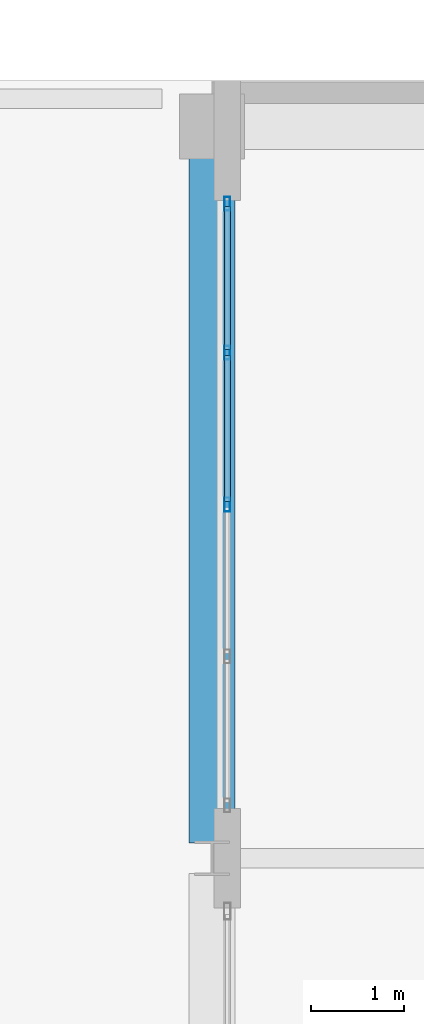
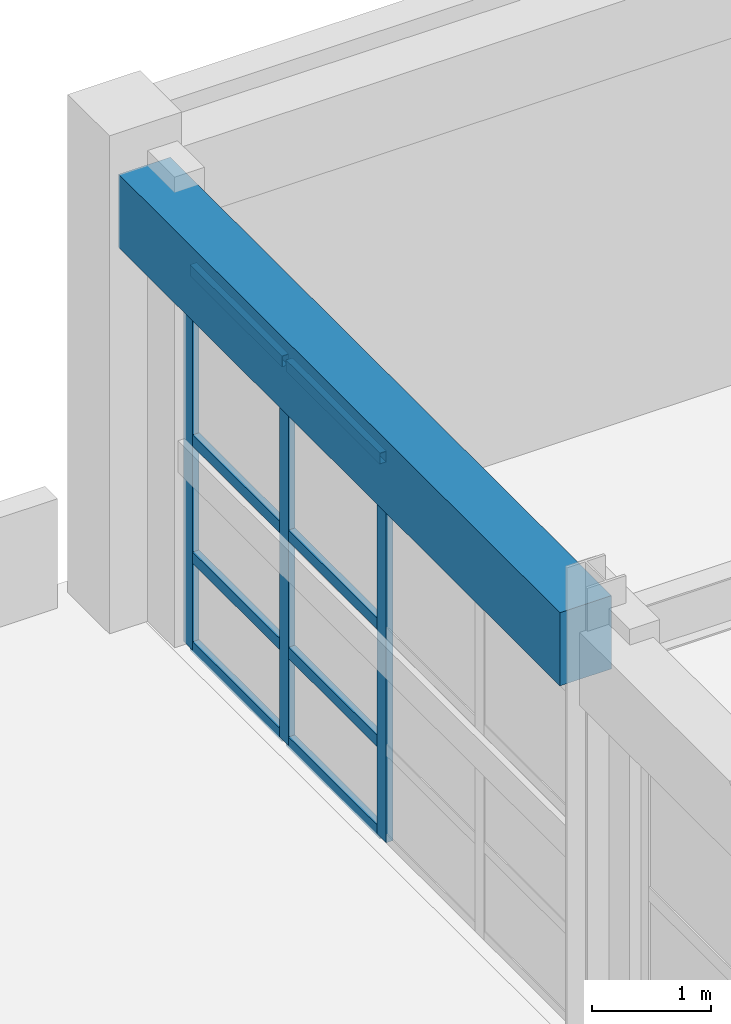
# One storey, part 47 of 78: 11 members, 1 beam, 1 element without a shape of its own.
"""IFC4 building model written with IfcOpenShell, lengths in metres."""

from ifc_helpers import new_model, si_unit, direction, frame, origin, origin_2d, place, context, subcontext, project, spatial, rectangle, hollow_rectangle, extrude, material, layer, layer_set, material_profile, profile_set, type_object, element, aggregate, save


model = new_model("IFC4")

# Units and contexts
model_context = context("Model", 3, precision=1e-05, world=origin(), true_north=direction((0.0, 1.0)))
body_context = subcontext(model_context, "Body", "Model", "MODEL_VIEW")
ifc_project = project(units=[si_unit("LENGTHUNIT", "METRE"), si_unit("AREAUNIT", "SQUARE_METRE"), si_unit("VOLUMEUNIT", "CUBIC_METRE"), si_unit("PLANEANGLEUNIT", "RADIAN"), si_unit("MASSUNIT", "GRAM", prefix="KILO")], contexts=[model_context])

# Site, building, storey
site_placement = place(None, origin())
site = spatial("IfcSite", under=ifc_project, at=site_placement, CompositionType="ELEMENT")
building_placement = place(site_placement, origin())
building = spatial("IfcBuilding", under=site, at=building_placement, Name="Quendrovan Civic Courthouse", CompositionType="ELEMENT")
storey_placement = place(building_placement, frame((0.0, 0.0, 10.199951171875)))
storey = spatial("IfcBuildingStorey", under=building, at=storey_placement, Name="L03", CompositionType="ELEMENT", Elevation=10.199951171875)

# Beam
ifc_material_1 = material(Name="Concrete C40/50", Category="concrete")
ifc_material_profile_1 = material_profile(ifc_material_1, rectangle(XDim=0.5, YDim=0.75, at=origin_2d()), Name="RC-BM-500x750")
ifc_profile_set_1 = profile_set([ifc_material_profile_1], Name="Concrete C40/50")
beam_type = type_object("IfcBeamType", Name="BM-RC750", PredefinedType="SPANDREL", material=ifc_profile_set_1)
beam_placement = place(storey_placement, frame((109.199951171875, 102.166015625, 4.28515625), z_axis=(0.0, 1.0, 0.0), x_axis=(-1.0, 0.0, 0.0)))
element("IfcBeam", 1, at=beam_placement, inside=storey, type_object=beam_type, Name="L03 Girder Y0863", PredefinedType="SPANDREL", context=body_context, shape_type="SweptSolid", body=[
    extrude(rectangle(XDim=0.5, YDim=0.75, at=origin_2d()), origin(), (0.0, 0.0, 1.0), 7.404052734375),
])

# Curtain wall, members
ifc_material_2 = material(Name="Bronze anodised aluminium and low-E glass", Category="aluminium")
ifc_layer = layer(ifc_material_2, 0.179931640625, Name="Bronze anodised aluminium and low-E glass")
ifc_layer_set = layer_set([ifc_layer], Name="Bronze anodised aluminium and low-E glass")
curtain_wall_type = type_object("IfcCurtainWallType", Name="CW-U66x39", PredefinedType="USERDEFINED", material=ifc_layer_set)
curtain_wall_placement = place(storey_placement, origin())
curtain_wall = element("IfcCurtainWall", 2, at=curtain_wall_placement, inside=storey, type_object=curtain_wall_type, Name="L03 Unitised Hurricane Curtain Wall CW-143", ObjectType="UNITISED CURTAIN WALL", PredefinedType="USERDEFINED")
ifc_material_3 = material(Name="Bronze anodised aluminium", Category="aluminium")
ifc_material_profile_2 = material_profile(ifc_material_3, hollow_rectangle(XDim=0.06494140625, YDim=0.14990234375, WallThickness=0.00390625, at=origin_2d()), Name="CW-MULL-65x150")
ifc_profile_set_2 = profile_set([ifc_material_profile_2], Name="Bronze anodised aluminium")
member_type_1 = type_object("IfcMemberType", Name="CW-MULL-B", PredefinedType="MULLION", material=ifc_profile_set_2)
member_1_placement = place(storey_placement, frame((109.364990234375, 105.818603515625, 0.0), z_axis=(0.0, 0.0, 1.0), x_axis=(-1.0, 0.0, 0.0)))
member_1 = element("IfcMember", 3, at=member_1_placement, type_object=member_type_1, Name="CW-143 mullion 3", PredefinedType="MULLION", context=body_context, shape_type="SweptSolid", body=[
    extrude(hollow_rectangle(XDim=0.06494140625, YDim=0.14990234375, WallThickness=0.00390625, at=origin_2d()), origin(), (0.0, 0.0, 1.0), 3.900146484375),
])
member_2_placement = place(storey_placement, frame((109.364990234375, 107.459228515625, 0.0), z_axis=(0.0, 0.0, 1.0), x_axis=(-1.0, 0.0, 0.0)))
member_2 = element("IfcMember", 4, at=member_2_placement, type_object=member_type_1, Name="CW-143 mullion 4", PredefinedType="MULLION", context=body_context, shape_type="SweptSolid", body=[
    extrude(hollow_rectangle(XDim=0.06494140625, YDim=0.14990234375, WallThickness=0.00390625, at=origin_2d()), origin(), (0.0, 0.0, 1.0), 3.900146484375),
])
member_3_placement = place(storey_placement, frame((109.364990234375, 109.0673828125, 0.0), z_axis=(0.0, 0.0, 1.0), x_axis=(-1.0, 0.0, 0.0)))
member_3 = element("IfcMember", 5, at=member_3_placement, type_object=member_type_1, Name="CW-143 mullion 5", PredefinedType="MULLION", context=body_context, shape_type="SweptSolid", body=[
    extrude(hollow_rectangle(XDim=0.06494140625, YDim=0.14990234375, WallThickness=0.00390625, at=origin_2d()), origin(), (0.0, 0.0, 1.0), 3.900146484375),
])
ifc_material_profile_3 = material_profile(ifc_material_3, hollow_rectangle(XDim=0.06494140625, YDim=0.114990234375, WallThickness=0.00390625, at=origin_2d()), Name="CW-TRAN-65x115")
ifc_profile_set_3 = profile_set([ifc_material_profile_3], Name="Bronze anodised aluminium")
member_type_2 = type_object("IfcMemberType", Name="CW-TRAN-B", PredefinedType="USERDEFINED", material=ifc_profile_set_3)
member_4_placement = place(storey_placement, frame((109.364990234375, 105.85107421875, 0.032470703125), z_axis=(0.0, 1.0, 0.0), x_axis=(-1.0, 0.0, 0.0)))
member_4 = element("IfcMember", 6, at=member_4_placement, type_object=member_type_2, Name="CW-143 transom 3.1", ObjectType="TRANSOM", PredefinedType="USERDEFINED", context=body_context, shape_type="SweptSolid", body=[
    extrude(hollow_rectangle(XDim=0.06494140625, YDim=0.114990234375, WallThickness=0.00390625, at=origin_2d()), origin(), (0.0, 0.0, 1.0), 1.57568359375),
])
member_5_placement = place(storey_placement, frame((109.364990234375, 105.85107421875, 0.949951171875), z_axis=(0.0, 1.0, 0.0), x_axis=(-1.0, 0.0, 0.0)))
member_5 = element("IfcMember", 7, at=member_5_placement, type_object=member_type_2, Name="CW-143 transom 3.2", ObjectType="TRANSOM", PredefinedType="USERDEFINED", context=body_context, shape_type="SweptSolid", body=[
    extrude(hollow_rectangle(XDim=0.06494140625, YDim=0.114990234375, WallThickness=0.00390625, at=origin_2d()), origin(), (0.0, 0.0, 1.0), 1.57568359375),
])
member_6_placement = place(storey_placement, frame((109.364990234375, 105.85107421875, 2.150146484375), z_axis=(0.0, 1.0, 0.0), x_axis=(-1.0, 0.0, 0.0)))
member_6 = element("IfcMember", 8, at=member_6_placement, type_object=member_type_2, Name="CW-143 transom 3.3", ObjectType="TRANSOM", PredefinedType="USERDEFINED", context=body_context, shape_type="SweptSolid", body=[
    extrude(hollow_rectangle(XDim=0.06494140625, YDim=0.114990234375, WallThickness=0.00390625, at=origin_2d()), origin(), (0.0, 0.0, 1.0), 1.57568359375),
])
member_7_placement = place(storey_placement, frame((109.364990234375, 105.85107421875, 3.867431640625), z_axis=(0.0, 1.0, 0.0), x_axis=(-1.0, 0.0, 0.0)))
member_7 = element("IfcMember", 9, at=member_7_placement, type_object=member_type_2, Name="CW-143 transom 3.4", ObjectType="TRANSOM", PredefinedType="USERDEFINED", context=body_context, shape_type="SweptSolid", body=[
    extrude(hollow_rectangle(XDim=0.06494140625, YDim=0.114990234375, WallThickness=0.00390625, at=origin_2d()), origin(), (0.0, 0.0, 1.0), 1.57568359375),
])
member_8_placement = place(storey_placement, frame((109.364990234375, 107.49169921875, 0.032470703125), z_axis=(0.0, 1.0, 0.0), x_axis=(-1.0, 0.0, 0.0)))
member_8 = element("IfcMember", 10, at=member_8_placement, type_object=member_type_2, Name="CW-143 transom 4.1", ObjectType="TRANSOM", PredefinedType="USERDEFINED", context=body_context, shape_type="SweptSolid", body=[
    extrude(hollow_rectangle(XDim=0.06494140625, YDim=0.114990234375, WallThickness=0.00390625, at=origin_2d()), origin(), (0.0, 0.0, 1.0), 1.543212890625),
])
member_9_placement = place(storey_placement, frame((109.364990234375, 107.49169921875, 0.949951171875), z_axis=(0.0, 1.0, 0.0), x_axis=(-1.0, 0.0, 0.0)))
member_9 = element("IfcMember", 11, at=member_9_placement, type_object=member_type_2, Name="CW-143 transom 4.2", ObjectType="TRANSOM", PredefinedType="USERDEFINED", context=body_context, shape_type="SweptSolid", body=[
    extrude(hollow_rectangle(XDim=0.06494140625, YDim=0.114990234375, WallThickness=0.00390625, at=origin_2d()), origin(), (0.0, 0.0, 1.0), 1.543212890625),
])
member_10_placement = place(storey_placement, frame((109.364990234375, 107.49169921875, 2.150146484375), z_axis=(0.0, 1.0, 0.0), x_axis=(-1.0, 0.0, 0.0)))
member_10 = element("IfcMember", 12, at=member_10_placement, type_object=member_type_2, Name="CW-143 transom 4.3", ObjectType="TRANSOM", PredefinedType="USERDEFINED", context=body_context, shape_type="SweptSolid", body=[
    extrude(hollow_rectangle(XDim=0.06494140625, YDim=0.114990234375, WallThickness=0.00390625, at=origin_2d()), origin(), (0.0, 0.0, 1.0), 1.543212890625),
])
member_11_placement = place(storey_placement, frame((109.364990234375, 107.49169921875, 3.867431640625), z_axis=(0.0, 1.0, 0.0), x_axis=(-1.0, 0.0, 0.0)))
member_11 = element("IfcMember", 13, at=member_11_placement, type_object=member_type_2, Name="CW-143 transom 4.4", ObjectType="TRANSOM", PredefinedType="USERDEFINED", context=body_context, shape_type="SweptSolid", body=[
    extrude(hollow_rectangle(XDim=0.06494140625, YDim=0.114990234375, WallThickness=0.00390625, at=origin_2d()), origin(), (0.0, 0.0, 1.0), 1.543212890625),
])
aggregate(curtain_wall, [member_1, member_2, member_3, member_4, member_5, member_6, member_7, member_8, member_9, member_10, member_11])

save(model, "model.ifc")
